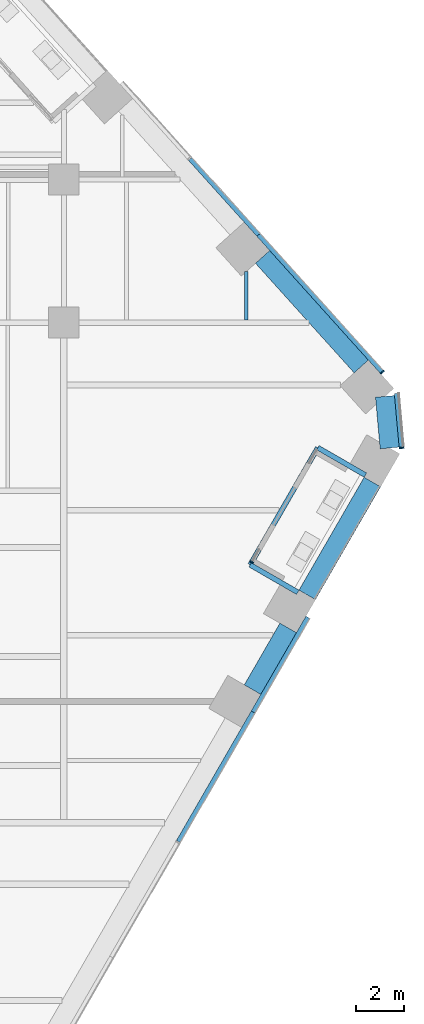
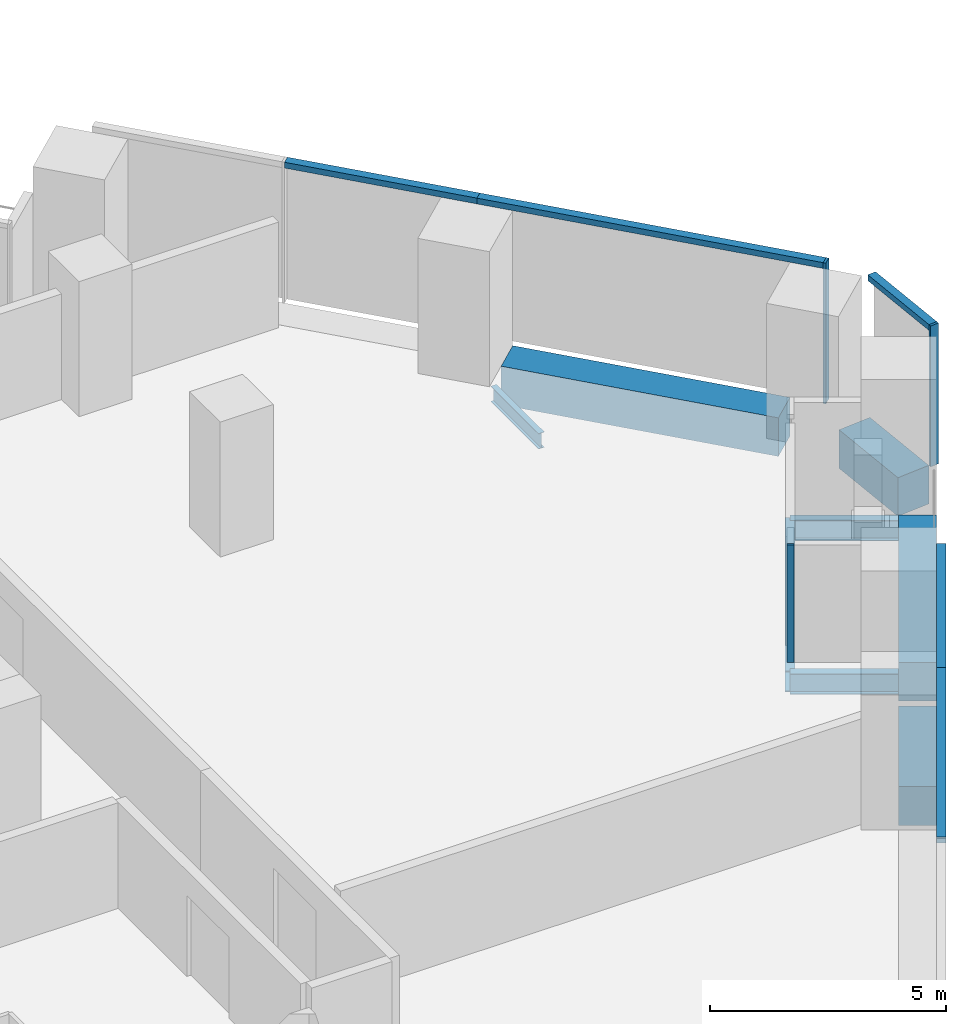
# One storey, part 13 of 28: 8 beams, 8 members, 4 elements without a shape of their own.
"""IFC4 building model written with IfcOpenShell, lengths in metres."""

from ifc_helpers import new_model, si_unit, direction, frame, origin, origin_2d, place, context, subcontext, project, spatial, rectangle, i_section, extrude, material, layer, layer_set, material_profile, profile_set, type_object, element, aggregate, save


model = new_model("IFC4")

# Units and contexts
model_context = context("Model", 3, precision=1e-05, world=origin(), true_north=direction((0.0, 1.0)))
body_context = subcontext(model_context, "Body", "Model", "MODEL_VIEW")
ifc_project = project(units=[si_unit("LENGTHUNIT", "METRE"), si_unit("AREAUNIT", "SQUARE_METRE"), si_unit("VOLUMEUNIT", "CUBIC_METRE"), si_unit("PLANEANGLEUNIT", "RADIAN"), si_unit("MASSUNIT", "GRAM", prefix="KILO")], contexts=[model_context])

# Site, building, storey
site_placement = place(None, origin())
site = spatial("IfcSite", under=ifc_project, at=site_placement, CompositionType="ELEMENT")
building_placement = place(site_placement, origin())
building = spatial("IfcBuilding", under=site, at=building_placement, Name="Isthmus Gate Tower", CompositionType="ELEMENT")
storey_placement = place(building_placement, frame((0.0, 0.0, 98.89990234375)))
storey = spatial("IfcBuildingStorey", under=building, at=storey_placement, Name="L23", CompositionType="ELEMENT", Elevation=98.89990234375)

# Curtain wall, member
ifc_material_1 = material(Name="Aluminium, pale champagne anodised", Category="aluminium")
ifc_layer_1 = layer(ifc_material_1, 0.199951171875)
ifc_layer_set_1 = layer_set([ifc_layer_1], Name="CW-1 UNITISED CURTAIN WALL 200 DEEP")
curtain_wall_type_1 = type_object("IfcCurtainWallType", Name="CW-1 UNITISED CURTAIN WALL 200 DEEP", PredefinedType="NOTDEFINED", material=ifc_layer_set_1)
curtain_wall_1_placement = place(storey_placement, origin())
curtain_wall_1 = element("IfcCurtainWall", 1, at=curtain_wall_1_placement, inside=storey, type_object=curtain_wall_type_1, Name="CW-1 SE-NE L23", PredefinedType="NOTDEFINED")
ifc_material_2 = material(Name="Aluminium, pale champagne anodised", Category="aluminium")
ifc_material_profile_1 = material_profile(ifc_material_2, rectangle(XDim=0.06005859375, YDim=0.199951171875, at=origin_2d()), Name="60x200")
ifc_profile_set_1 = profile_set([ifc_material_profile_1], Name="Aluminium, pale champagne anodised")
member_type_1 = type_object("IfcMemberType", Name="CW-1 MULLION 60 X 200", PredefinedType="MULLION", material=ifc_profile_set_1)
member_1_placement = place(storey_placement, frame((38.178955078125, 2.24169921875, 0.0), z_axis=(0.0, 0.0, 1.0), x_axis=(-0.089396669717, 0.995996102123, 0.0)))
member_1 = element("IfcMember", 2, at=member_1_placement, type_object=member_type_1, Name="CW-1 mullion", PredefinedType="MULLION", context=body_context, shape_type="SweptSolid", body=[
    extrude(rectangle(XDim=0.06005859375, YDim=0.199951171875, at=origin_2d()), origin(), (0.0, 0.0, 1.0), 3.650146484375),
])

curtain_wall_2_placement = place(storey_placement, origin())
curtain_wall_2 = element("IfcCurtainWall", 3, at=curtain_wall_2_placement, inside=storey, type_object=curtain_wall_type_1, Name="CW-1 NE L23", PredefinedType="NOTDEFINED")
member_2_placement = place(storey_placement, frame((37.37353515625, 5.419921875, 0.0), z_axis=(0.0, 0.0, 1.0), x_axis=(-0.669130606359, 0.743144825477, 0.0)))
member_2 = element("IfcMember", 4, at=member_2_placement, type_object=member_type_1, Name="CW-1 mullion", PredefinedType="MULLION", context=body_context, shape_type="SweptSolid", body=[
    extrude(rectangle(XDim=0.06005859375, YDim=0.199951171875, at=origin_2d()), origin(), (0.0, 0.0, 1.0), 3.650146484375),
])

# Curtain wall, members
curtain_wall_3_placement = place(storey_placement, origin())
curtain_wall_3 = element("IfcCurtainWall", 5, at=curtain_wall_3_placement, inside=storey, type_object=curtain_wall_type_1, Name="CW-1 SE L23", PredefinedType="NOTDEFINED")
ifc_material_3 = material(Name="Aluminium, pale champagne anodised", Category="aluminium")
ifc_material_profile_2 = material_profile(ifc_material_3, rectangle(XDim=0.199951171875, YDim=0.14990234375, at=origin_2d()), Name="200x150")
ifc_profile_set_2 = profile_set([ifc_material_profile_2], Name="Aluminium, pale champagne anodised")
member_type_2 = type_object("IfcMemberType", Name="CW-1 TRANSOM 200 X 150", PredefinedType="USERDEFINED", material=ifc_profile_set_2)
member_3_placement = place(storey_placement, frame((28.817138671875, -14.287353515625, 3.5751953125), z_axis=(0.499995104884, 0.866028229963, 0.0), x_axis=(-0.866028229963, 0.499995104884, 0.0)))
member_3 = element("IfcMember", 6, at=member_3_placement, type_object=member_type_2, Name="CW-1 transom", ObjectType="TRANSOM", PredefinedType="USERDEFINED", context=body_context, shape_type="SweptSolid", body=[
    extrude(rectangle(XDim=0.199951171875, YDim=0.14990234375, at=origin_2d()), origin(), (0.0, 0.0, 1.0), 6.2783203125),
])
member_4_placement = place(storey_placement, frame((31.956298828125, -8.85009765625, 3.5751953125), z_axis=(0.499992401796, 0.866029790565, 0.0), x_axis=(-0.866029790565, 0.499992401796, 0.0)))
member_4 = element("IfcMember", 7, at=member_4_placement, type_object=member_type_2, Name="CW-1 transom", ObjectType="TRANSOM", PredefinedType="USERDEFINED", context=body_context, shape_type="SweptSolid", body=[
    extrude(rectangle(XDim=0.199951171875, YDim=0.14990234375, at=origin_2d()), origin(), (0.0, 0.0, 1.0), 4.5927734375),
])
aggregate(curtain_wall_3, [member_3, member_4])

# Member
member_5_placement = place(storey_placement, frame((38.17626953125, 2.271728515625, 3.5751953125), z_axis=(-0.089395362867, 0.995996219419, 0.0), x_axis=(-0.995996219419, -0.089395362867, 0.0)))
member_5 = element("IfcMember", 8, at=member_5_placement, type_object=member_type_2, Name="CW-1 transom", ObjectType="TRANSOM", PredefinedType="USERDEFINED", context=body_context, shape_type="SweptSolid", body=[
    extrude(rectangle(XDim=0.199951171875, YDim=0.14990234375, at=origin_2d()), origin(), (0.0, 0.0, 1.0), 2.258544921875),
])

aggregate(curtain_wall_1, [member_1, member_5])

member_6_placement = place(storey_placement, frame((37.353515625, 5.4423828125, 3.5751953125), z_axis=(-0.669133991403, 0.743141777556, 0.0), x_axis=(-0.743141777556, -0.669133991403, 0.0)))
member_6 = element("IfcMember", 9, at=member_6_placement, type_object=member_type_2, Name="CW-1 transom", ObjectType="TRANSOM", PredefinedType="USERDEFINED", context=body_context, shape_type="SweptSolid", body=[
    extrude(rectangle(XDim=0.199951171875, YDim=0.14990234375, at=origin_2d()), origin(), (0.0, 0.0, 1.0), 7.729248046875),
])

member_7_placement = place(storey_placement, frame((32.181640625, 11.186279296875, 3.5751953125), z_axis=(-0.669131169216, 0.743144318678, 0.0), x_axis=(-0.743144318678, -0.669131169216, 0.0)))
member_7 = element("IfcMember", 10, at=member_7_placement, type_object=member_type_2, Name="CW-1 transom", ObjectType="TRANSOM", PredefinedType="USERDEFINED", context=body_context, shape_type="SweptSolid", body=[
    extrude(rectangle(XDim=0.199951171875, YDim=0.14990234375, at=origin_2d()), origin(), (0.0, 0.0, 1.0), 4.294677734375),
])

aggregate(curtain_wall_2, [member_2, member_6, member_7])

# Curtain wall, member
ifc_material_4 = material(Name="Aluminium, pale champagne anodised", Category="aluminium")
ifc_layer_2 = layer(ifc_material_4, 0.14990234375)
ifc_layer_set_2 = layer_set([ifc_layer_2], Name="CW-6 LOGGIA BACK WALL GLAZING 150 DEEP")
curtain_wall_type_2 = type_object("IfcCurtainWallType", Name="CW-6 LOGGIA BACK WALL GLAZING 150 DEEP", PredefinedType="NOTDEFINED", material=ifc_layer_set_2)
curtain_wall_4_placement = place(storey_placement, origin())
curtain_wall_4 = element("IfcCurtainWall", 11, at=curtain_wall_4_placement, inside=storey, type_object=curtain_wall_type_2, Name="CW-6 SE L23", PredefinedType="NOTDEFINED")
ifc_material_5 = material(Name="Aluminium, pale champagne anodised", Category="aluminium")
ifc_material_profile_3 = material_profile(ifc_material_5, rectangle(XDim=0.06005859375, YDim=0.14990234375, at=origin_2d()), Name="60x150")
ifc_profile_set_3 = profile_set([ifc_material_profile_3], Name="Aluminium, pale champagne anodised")
member_type_3 = type_object("IfcMemberType", Name="CW-6 MULLION 60 X 150", PredefinedType="MULLION", material=ifc_profile_set_3)
member_8_placement = place(storey_placement, frame((31.896484375, -2.5537109375, 0.0), z_axis=(0.0, 0.0, 1.0), x_axis=(0.5, 0.866025403784, 0.0)))
member_8 = element("IfcMember", 12, at=member_8_placement, type_object=member_type_3, Name="CW-6 mullion", PredefinedType="MULLION", context=body_context, shape_type="SweptSolid", body=[
    extrude(rectangle(XDim=0.06005859375, YDim=0.14990234375, at=origin_2d()), origin(), (0.0, 0.0, 1.0), 3.050048828125),
])
aggregate(curtain_wall_4, [member_8])

# Beams
ifc_material_6 = material(Name="Concrete f'c 70 MPa", Category="concrete")
ifc_material_profile_4 = material_profile(ifc_material_6, rectangle(XDim=0.800048828125, YDim=1.0, at=origin_2d()), Name="RC 800X1000")
ifc_profile_set_4 = profile_set([ifc_material_profile_4], Name="Concrete f'c 70 MPa")
beam_type_1 = type_object("IfcBeamType", Name="RC SPANDREL 800 X 1000", PredefinedType="SPANDREL", material=ifc_profile_set_4)
beam_1_placement = place(storey_placement, frame((32.34521484375, 10.25732421875, -0.5), z_axis=(0.669139054219, -0.743137218903, 0.0), x_axis=(0.743137218903, 0.669139054219, 0.0)))
element("IfcBeam", 13, at=beam_1_placement, inside=storey, type_object=beam_type_1, Name="str-spandrel-L23-04", PredefinedType="SPANDREL", context=body_context, shape_type="SweptSolid", body=[
    extrude(rectangle(XDim=0.800048828125, YDim=1.0, at=origin_2d()), origin(), (0.0, 0.0, 1.0), 6.189453125),
])
beam_2_placement = place(storey_placement, frame((37.483154296875, 4.40185546875, -0.5), z_axis=(0.089421511639, -0.995993872098, 0.0), x_axis=(0.995993872098, 0.089421511639, 0.0)))
element("IfcBeam", 14, at=beam_2_placement, inside=storey, type_object=beam_type_1, Name="str-spandrel-L23-05", PredefinedType="SPANDREL", context=body_context, shape_type="SweptSolid", body=[
    extrude(rectangle(XDim=0.800048828125, YDim=1.0, at=origin_2d()), origin(), (0.0, 0.0, 1.0), 2.17333984375),
])
beam_3_placement = place(storey_placement, frame((36.95458984375, 0.80712890625, -0.5), z_axis=(-0.500008371742, -0.866020570303, 0.0), x_axis=(0.866020570303, -0.500008371742, 0.0)))
element("IfcBeam", 15, at=beam_3_placement, inside=storey, type_object=beam_type_1, Name="str-spandrel-L23-06", PredefinedType="SPANDREL", context=body_context, shape_type="SweptSolid", body=[
    extrude(rectangle(XDim=0.800048828125, YDim=1.0, at=origin_2d()), origin(), (0.0, 0.0, 1.0), 5.4697265625),
])
beam_4_placement = place(storey_placement, frame((33.419677734375, -5.315185546875, -0.5), z_axis=(-0.499955472713, -0.866051110099, 0.0), x_axis=(0.866051110099, -0.499955472713, 0.0)))
element("IfcBeam", 16, at=beam_4_placement, inside=storey, type_object=beam_type_1, Name="str-spandrel-L23-07", PredefinedType="SPANDREL", context=body_context, shape_type="SweptSolid", body=[
    extrude(rectangle(XDim=0.800048828125, YDim=1.0, at=origin_2d()), origin(), (0.0, 0.0, 1.0), 2.992919921875),
])
ifc_material_7 = material(Name="Structural steel ASTM A992 Gr 50", Category="steel")
ifc_material_profile_5 = material_profile(ifc_material_7, i_section(OverallWidth=0.1396484375, OverallDepth=0.4033203125, WebThickness=0.00634765625, FlangeThickness=0.010986328125, at=origin_2d()), Name="W16X31")
ifc_profile_set_5 = profile_set([ifc_material_profile_5], Name="Structural steel ASTM A992 Gr 50")
beam_type_2 = type_object("IfcBeamType", Name="STEEL FLOOR BEAM W16X31", PredefinedType="JOIST", material=ifc_profile_set_5)
beam_5_placement = place(storey_placement, frame((31.666259765625, 7.6142578125, -0.3515625), z_axis=(0.0, 1.0, 0.0), x_axis=(-1.0, 0.0, 0.0)))
element("IfcBeam", 17, at=beam_5_placement, inside=storey, type_object=beam_type_2, Name="str-beam-L23-38-01", PredefinedType="JOIST", context=body_context, shape_type="SweptSolid", body=[
    extrude(i_section(OverallWidth=0.1396484375, OverallDepth=0.4033203125, WebThickness=0.00634765625, FlangeThickness=0.010986328125, at=origin_2d()), origin(), (0.0, 0.0, 1.0), 2.03173828125),
])
ifc_material_8 = material(Name="Structural steel ASTM A992 Gr 50", Category="steel")
ifc_material_profile_6 = material_profile(ifc_material_8, i_section(OverallWidth=0.20947265625, OverallDepth=0.533447265625, WebThickness=0.009521484375, FlangeThickness=0.015869140625, at=origin_2d()), Name="W21X62")
ifc_profile_set_6 = profile_set([ifc_material_profile_6], Name="Structural steel ASTM A992 Gr 50")
beam_type_3 = type_object("IfcBeamType", Name="STEEL TRIMMER W21X62", PredefinedType="BEAM", material=ifc_profile_set_6)
beam_6_placement = place(storey_placement, frame((31.824951171875, -2.66796875, -0.41650390625), z_axis=(0.50000898992, 0.86602021339, 0.0), x_axis=(-0.86602021339, 0.50000898992, 0.0)))
element("IfcBeam", 18, at=beam_6_placement, inside=storey, type_object=beam_type_3, Name="str-loggiatrim-L23-05-B", PredefinedType="BEAM", context=body_context, shape_type="SweptSolid", body=[
    extrude(i_section(OverallWidth=0.20947265625, OverallDepth=0.533447265625, WebThickness=0.009521484375, FlangeThickness=0.015869140625, at=origin_2d()), origin(), (0.0, 0.0, 1.0), 5.67919921875),
])
beam_7_placement = place(storey_placement, frame((33.821044921875, -3.8203125, -0.41650390625), z_axis=(-0.866044474677, 0.49996696679, 0.0), x_axis=(-0.49996696679, -0.866044474677, 0.0)))
element("IfcBeam", 19, at=beam_7_placement, inside=storey, type_object=beam_type_3, Name="str-loggiatrim-L23-05-A", PredefinedType="BEAM", context=body_context, shape_type="SweptSolid", body=[
    extrude(i_section(OverallWidth=0.20947265625, OverallDepth=0.533447265625, WebThickness=0.009521484375, FlangeThickness=0.015869140625, at=origin_2d()), origin(), (0.0, 0.0, 1.0), 2.304931640625),
])
beam_8_placement = place(storey_placement, frame((36.660400390625, 1.097900390625, -0.41650390625), z_axis=(-0.866017993231, 0.500012835235, 0.0), x_axis=(-0.500012835235, -0.866017993231, 0.0)))
element("IfcBeam", 20, at=beam_8_placement, inside=storey, type_object=beam_type_3, Name="str-loggiatrim-L23-05-C", PredefinedType="BEAM", context=body_context, shape_type="SweptSolid", body=[
    extrude(i_section(OverallWidth=0.20947265625, OverallDepth=0.533447265625, WebThickness=0.009521484375, FlangeThickness=0.015869140625, at=origin_2d()), origin(), (0.0, 0.0, 1.0), 2.3046875),
])

save(model, "model.ifc")
